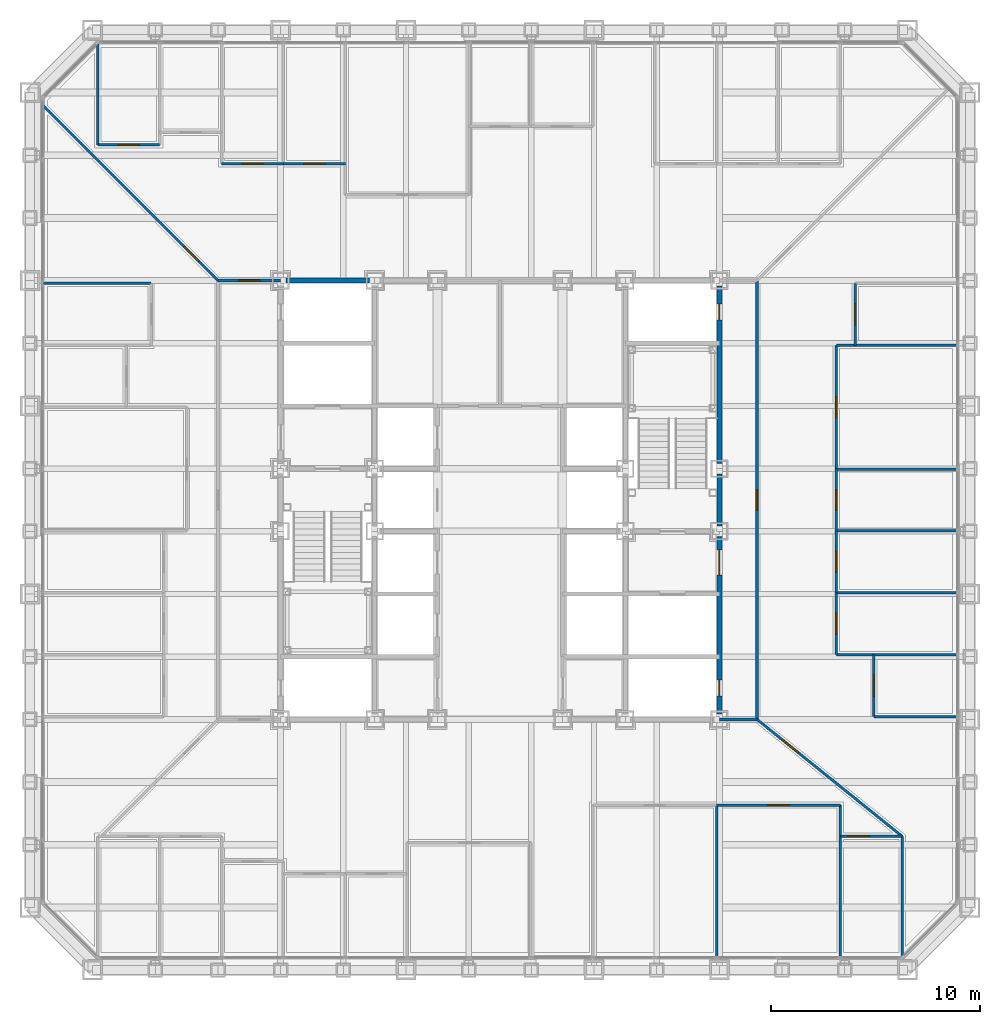
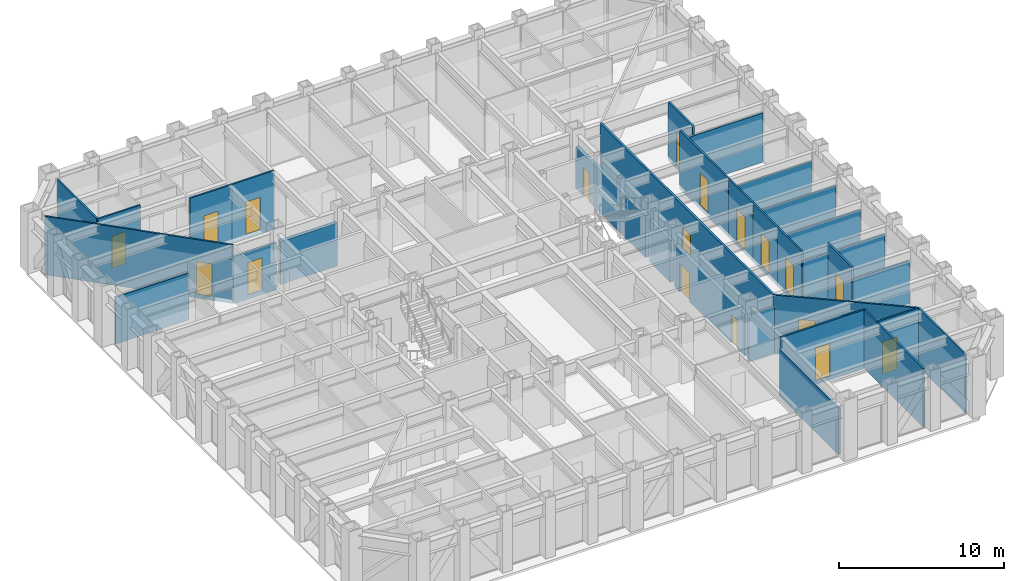
# One storey, part 10 of 17: 31 walls, 18 doors, 18 openings.
"""IFC4 building model written with IfcOpenShell, lengths in metres."""

from ifc_helpers import new_model, si_unit, direction, frame, frame_2d, origin, place, context, subcontext, project, spatial, rectangle, extrude, material, layer, layer_set, type_object, element, fill, save


model = new_model("IFC4")

# Units and contexts
model_context = context("Model", 3, precision=1e-05, world=origin(), true_north=direction((0.0, 1.0)))
body_context = subcontext(model_context, "Body", "Model", "MODEL_VIEW")
ifc_project = project(units=[si_unit("LENGTHUNIT", "METRE"), si_unit("AREAUNIT", "SQUARE_METRE"), si_unit("VOLUMEUNIT", "CUBIC_METRE"), si_unit("PLANEANGLEUNIT", "RADIAN"), si_unit("MASSUNIT", "GRAM", prefix="KILO")], contexts=[model_context])

# Site, building, storey
site_placement = place(None, origin())
site = spatial("IfcSite", under=ifc_project, at=site_placement, CompositionType="ELEMENT")
building_placement = place(site_placement, origin())
building = spatial("IfcBuilding", under=site, at=building_placement, Name="Chuquiago Exchange Tower", CompositionType="ELEMENT")
storey_placement = place(building_placement, frame((0.0, 0.0, 42.300048828125)))
storey = spatial("IfcBuildingStorey", under=building, at=storey_placement, Name="L08", CompositionType="ELEMENT", Elevation=42.300048828125)

# Wall
ifc_material_1 = material(Name="Concrete masonry, fully grouted", Category="masonry")
ifc_layer_1 = layer(ifc_material_1, 0.25)
ifc_layer_set_1 = layer_set([ifc_layer_1], Name="W1 core wall 250")
wall_type_1 = type_object("IfcWallType", Name="W1 core wall 250", PredefinedType="SOLIDWALL", material=ifc_layer_set_1)
wall_1_placement = place(storey_placement, frame((12.25, 33.0, 0.0), z_axis=(0.0, 0.0, 1.0), x_axis=(1.0, 0.0, 0.0)))
element("IfcWall", 1, at=wall_1_placement, inside=storey, type_object=wall_type_1, Name="CW-L08-11-0", PredefinedType="SOLIDWALL", context=body_context, shape_type="SweptSolid", body=[
    extrude(rectangle(XDim=4.0, YDim=0.25, at=frame_2d((2.0, 0.0))), origin(), (0.0, 0.0, 1.0), 3.181396484375),
])

# Wall, openings, doors
wall_2_placement = place(storey_placement, frame((33.0, 12.25, 0.0), z_axis=(0.0, 0.0, 1.0), x_axis=(0.0, 1.0, 0.0)))
wall_2 = element("IfcWall", 2, at=wall_2_placement, inside=storey, type_object=wall_type_1, Name="CW-L08-25-0", PredefinedType="SOLIDWALL", context=body_context, shape_type="SweptSolid", body=[
    extrude(rectangle(XDim=8.5, YDim=0.25, at=frame_2d((4.25, 0.0))), origin(), (0.0, 0.0, 1.0), 3.11279296875),
])
opening_1_placement = place(wall_2_placement, frame((6.64990234375, 0.0, 0.0)))
opening_1 = element("IfcOpeningElement", 3, at=opening_1_placement, cuts=wall_2, Name="Opening L08-004", PredefinedType="OPENING", context=body_context, shape_type="SweptSolid", body=[
    extrude(rectangle(XDim=1.199951171875, YDim=2.10009765625, at=frame_2d((0.60009765625, 1.050048828125))), frame((0.0, 0.135009765625, 0.0), z_axis=(0.0, -1.0, 0.0), x_axis=(1.0, 0.0, 0.0)), (0.0, 0.0, 1.0), 0.27001953125),
])
opening_2_placement = place(wall_2_placement, frame((0.875, 0.0, 0.0)))
opening_2 = element("IfcOpeningElement", 4, at=opening_2_placement, cuts=wall_2, Name="Opening L08-009", PredefinedType="OPENING", context=body_context, shape_type="SweptSolid", body=[
    extrude(rectangle(XDim=0.75, YDim=2.10009765625, at=frame_2d((0.375, 1.050048828125))), frame((0.0, 0.135009765625, 0.0), z_axis=(0.0, -1.0, 0.0), x_axis=(1.0, 0.0, 0.0)), (0.0, 0.0, 1.0), 0.27001953125),
])
ifc_material_2 = material(Name="Steel door, painted", Category="steel")
door_type_1 = type_object("IfcDoorType", Name="D5 firefighting lobby door 1200x2100", OperationType="SINGLE_SWING_LEFT", PredefinedType="DOOR", material=ifc_material_2)
door_1_placement = place(opening_1_placement, origin())
door_1 = element("IfcDoor", 5, at=door_1_placement, inside=storey, type_object=door_type_1, Name="Firefighting lobby 2 door", OperationType="SINGLE_SWING_RIGHT", OverallHeight=2.10009765625, OverallWidth=1.199951171875, PredefinedType="DOOR", context=body_context, shape_type="SweptSolid", body=[
    extrude(rectangle(XDim=1.199951171875, YDim=2.10009765625, at=frame_2d((0.60009765625, 1.050048828125))), frame((0.0, 0.02490234375, 0.0), z_axis=(0.0, -1.0, 0.0), x_axis=(1.0, 0.0, 0.0)), (0.0, 0.0, 1.0), 0.050048828125),
])
fill(opening_1, door_1)
ifc_material_3 = material(Name="Steel door, painted", Category="steel")
door_type_2 = type_object("IfcDoorType", Name="D6 riser access door 750x2100", OperationType="SINGLE_SWING_LEFT", PredefinedType="DOOR", material=ifc_material_3)
door_2_placement = place(opening_2_placement, frame((0.75, 0.0, 0.0), z_axis=(0.0, 0.0, 1.0), x_axis=(-1.0, 0.0, 0.0)))
door_2 = element("IfcDoor", 6, at=door_2_placement, inside=storey, type_object=door_type_2, Name="Riser RE1 door", OperationType="SINGLE_SWING_RIGHT", OverallHeight=2.10009765625, OverallWidth=0.75, PredefinedType="DOOR", context=body_context, shape_type="SweptSolid", body=[
    extrude(rectangle(XDim=0.75, YDim=2.10009765625, at=frame_2d((0.375, 1.050048828125))), frame((0.0, 0.02490234375, 0.0), z_axis=(0.0, -1.0, 0.0), x_axis=(1.0, 0.0, 0.0)), (0.0, 0.0, 1.0), 0.050048828125),
])
fill(opening_2, door_2)

# Wall
wall_3_placement = place(storey_placement, frame((33.0, 21.25, 0.0), z_axis=(0.0, 0.0, 1.0), x_axis=(0.0, 1.0, 0.0)))
element("IfcWall", 7, at=wall_3_placement, inside=storey, type_object=wall_type_1, Name="CW-L08-25-1", PredefinedType="SOLIDWALL", context=body_context, shape_type="SweptSolid", body=[
    extrude(rectangle(XDim=2.5, YDim=0.25, at=frame_2d((1.25, 0.0))), origin(), (0.0, 0.0, 1.0), 3.11279296875),
])

# Wall, opening, door
wall_4_placement = place(storey_placement, frame((33.0, 24.25, 0.0), z_axis=(0.0, 0.0, 1.0), x_axis=(0.0, 1.0, 0.0)))
wall_4 = element("IfcWall", 8, at=wall_4_placement, inside=storey, type_object=wall_type_1, Name="CW-L08-25-2", PredefinedType="SOLIDWALL", context=body_context, shape_type="SweptSolid", body=[
    extrude(rectangle(XDim=8.5, YDim=0.25, at=frame_2d((4.25, 0.0))), origin(), (0.0, 0.0, 1.0), 3.11279296875),
])
opening_3_placement = place(wall_4_placement, frame((6.875, 0.0, 0.0)))
opening_3 = element("IfcOpeningElement", 9, at=opening_3_placement, cuts=wall_4, Name="Opening L08-010", PredefinedType="OPENING", context=body_context, shape_type="SweptSolid", body=[
    extrude(rectangle(XDim=0.75, YDim=2.10009765625, at=frame_2d((0.375, 1.050048828125))), frame((0.0, 0.135009765625, 0.0), z_axis=(0.0, -1.0, 0.0), x_axis=(1.0, 0.0, 0.0)), (0.0, 0.0, 1.0), 0.27001953125),
])
door_3_placement = place(opening_3_placement, frame((0.75, 0.0, 0.0), z_axis=(0.0, 0.0, 1.0), x_axis=(-1.0, 0.0, 0.0)))
door_3 = element("IfcDoor", 10, at=door_3_placement, inside=storey, type_object=door_type_2, Name="Riser RE2 door", OperationType="SINGLE_SWING_LEFT", OverallHeight=2.10009765625, OverallWidth=0.75, PredefinedType="DOOR", context=body_context, shape_type="SweptSolid", body=[
    extrude(rectangle(XDim=0.75, YDim=2.10009765625, at=frame_2d((0.375, 1.050048828125))), frame((0.0, 0.02490234375, 0.0), z_axis=(0.0, -1.0, 0.0), x_axis=(1.0, 0.0, 0.0)), (0.0, 0.0, 1.0), 0.050048828125),
])
fill(opening_3, door_3)

ifc_material_4 = material(Name="Gypsum board on steel studs, acoustic insulation", Category="steel")
ifc_layer_2 = layer(ifc_material_4, 0.14990234375)
ifc_layer_set_2 = layer_set([ifc_layer_2], Name="W11 corridor wall 150")
wall_type_2 = type_object("IfcWallType", Name="W11 corridor wall 150", PredefinedType="PARTITIONING", material=ifc_layer_set_2)
wall_5_placement = place(storey_placement, frame((9.0, 33.0, -0.300048828125), z_axis=(0.0, 0.0, 1.0), x_axis=(1.0, 0.0, 0.0)))
wall_5 = element("IfcWall", 11, at=wall_5_placement, inside=storey, type_object=wall_type_2, Name="PW-L08-GWN0", PredefinedType="PARTITIONING", context=body_context, shape_type="SweptSolid", body=[
    extrude(rectangle(XDim=3.0, YDim=0.14990234375, at=frame_2d((1.5, 0.0))), origin(), (0.0, 0.0, 1.0), 3.4814453125),
])
opening_4_placement = place(wall_5_placement, frame((1.0, 0.0, 0.300048828125)))
opening_4 = element("IfcOpeningElement", 12, at=opening_4_placement, cuts=wall_5, Name="Opening L08-051", PredefinedType="OPENING", context=body_context, shape_type="SweptSolid", body=[
    extrude(rectangle(XDim=1.0, YDim=2.39990234375, at=frame_2d((0.5, 1.199951171875))), frame((0.0, 0.0849609375, 0.0), z_axis=(0.0, -1.0, 0.0), x_axis=(1.0, 0.0, 0.0)), (0.0, 0.0, 1.0), 0.169921875),
])
ifc_material_5 = material(Name="Timber door, laminate faced", Category="wood")
door_type_3 = type_object("IfcDoorType", Name="D9 room door 1000x2400", OperationType="SINGLE_SWING_LEFT", PredefinedType="DOOR", material=ifc_material_5)
door_4_placement = place(opening_4_placement, frame((1.0, 0.0, 0.0), z_axis=(0.0, 0.0, 1.0), x_axis=(-1.0, 0.0, 0.0)))
door_4 = element("IfcDoor", 13, at=door_4_placement, inside=storey, type_object=door_type_3, Name="Team area door", OperationType="SINGLE_SWING_LEFT", OverallHeight=2.39990234375, OverallWidth=1.0, PredefinedType="DOOR", context=body_context, shape_type="SweptSolid", body=[
    extrude(rectangle(XDim=1.0, YDim=2.39990234375, at=frame_2d((0.5, 1.199951171875))), frame((0.0, 0.02490234375, 0.0), z_axis=(0.0, -1.0, 0.0), x_axis=(1.0, 0.0, 0.0)), (0.0, 0.0, 1.0), 0.050048828125),
])
fill(opening_4, door_4)

wall_6_placement = place(storey_placement, frame((34.800048828125, 12.0, -0.300048828125), z_axis=(0.0, 0.0, 1.0), x_axis=(0.0, 1.0, 0.0)))
wall_6 = element("IfcWall", 14, at=wall_6_placement, inside=storey, type_object=wall_type_2, Name="PW-L08-GE0", PredefinedType="PARTITIONING", context=body_context, shape_type="SweptSolid", body=[
    extrude(rectangle(XDim=21.0, YDim=0.14990234375, at=frame_2d((10.5, 0.0))), origin(), (0.0, 0.0, 1.0), 4.340087890625),
])
opening_5_placement = place(wall_6_placement, frame((10.0, 0.0, 0.300048828125)))
opening_5 = element("IfcOpeningElement", 15, at=opening_5_placement, cuts=wall_6, Name="Opening L08-053", PredefinedType="OPENING", context=body_context, shape_type="SweptSolid", body=[
    extrude(rectangle(XDim=1.0, YDim=2.39990234375, at=frame_2d((0.5, 1.199951171875))), frame((0.0, 0.0849609375, 0.0), z_axis=(0.0, -1.0, 0.0), x_axis=(1.0, 0.0, 0.0)), (0.0, 0.0, 1.0), 0.169921875),
])
door_5_placement = place(opening_5_placement, frame((1.0, 0.0, 0.0), z_axis=(0.0, 0.0, 1.0), x_axis=(-1.0, 0.0, 0.0)))
door_5 = element("IfcDoor", 16, at=door_5_placement, inside=storey, type_object=door_type_3, Name="Team area door", OperationType="SINGLE_SWING_RIGHT", OverallHeight=2.39990234375, OverallWidth=1.0, PredefinedType="DOOR", context=body_context, shape_type="SweptSolid", body=[
    extrude(rectangle(XDim=1.0, YDim=2.39990234375, at=frame_2d((0.5, 1.199951171875))), frame((0.0, 0.02490234375, 0.0), z_axis=(0.0, -1.0, 0.0), x_axis=(1.0, 0.0, 0.0)), (0.0, 0.0, 1.0), 0.050048828125),
])
fill(opening_5, door_5)

# Walls
wall_7_placement = place(storey_placement, frame((33.0, 12.0, -0.300048828125), z_axis=(0.0, 0.0, 1.0), x_axis=(1.0, 0.0, 0.0)))
element("IfcWall", 17, at=wall_7_placement, inside=storey, type_object=wall_type_2, Name="PW-L08-GES0", PredefinedType="PARTITIONING", context=body_context, shape_type="SweptSolid", body=[
    extrude(rectangle(XDim=1.800048828125, YDim=0.14990234375, at=frame_2d((0.89990234375, 0.0))), origin(), (0.0, 0.0, 1.0), 3.4814453125),
])
ifc_material_6 = material(Name="Gypsum board on steel studs", Category="steel")
ifc_layer_3 = layer(ifc_material_6, 0.1201171875)
ifc_layer_set_3 = layer_set([ifc_layer_3], Name="W4 partition 120")
wall_type_3 = type_object("IfcWallType", Name="W4 partition 120", PredefinedType="PARTITIONING", material=ifc_layer_set_3)
wall_8_placement = place(storey_placement, frame((32.8662109375, 0.657470703125, -0.300048828125), z_axis=(0.0, 0.0, 1.0), x_axis=(0.0, 1.0, 0.0)))
element("IfcWall", 18, at=wall_8_placement, inside=storey, type_object=wall_type_3, Name="PW-L08-S03287", PredefinedType="PARTITIONING", context=body_context, shape_type="SweptSolid", body=[
    extrude(rectangle(XDim=7.242431640625, YDim=0.1201171875, at=frame_2d((3.62109375, 0.0))), origin(), (0.0, 0.0, 1.0), 3.4814453125),
])
wall_9_placement = place(storey_placement, frame((38.789794921875, 0.657470703125, -0.300048828125), z_axis=(0.0, 0.0, 1.0), x_axis=(0.0, 1.0, 0.0)))
element("IfcWall", 19, at=wall_9_placement, inside=storey, type_object=wall_type_3, Name="PW-L08-S03879", PredefinedType="PARTITIONING", context=body_context, shape_type="SweptSolid", body=[
    extrude(rectangle(XDim=7.242431640625, YDim=0.1201171875, at=frame_2d((3.62109375, 0.0))), origin(), (0.0, 0.0, 1.0), 4.340087890625),
])
wall_10_placement = place(storey_placement, frame((41.75146484375, 0.666015625, -0.300048828125), z_axis=(0.0, 0.0, 1.0), x_axis=(0.0, 1.0, 0.0)))
element("IfcWall", 20, at=wall_10_placement, inside=storey, type_object=wall_type_3, Name="PW-L08-S04175", PredefinedType="PARTITIONING", context=body_context, shape_type="SweptSolid", body=[
    extrude(rectangle(XDim=5.73388671875, YDim=0.1201171875, at=frame_2d((2.866943359375, 0.0))), origin(), (0.0, 0.0, 1.0), 4.340087890625),
])

# Wall, opening, door
wall_11_placement = place(storey_placement, frame((32.8662109375, 7.89990234375, -0.300048828125), z_axis=(0.0, 0.0, 1.0), x_axis=(1.0, 0.0, 0.0)))
wall_11 = element("IfcWall", 21, at=wall_11_placement, inside=storey, type_object=wall_type_3, Name="PW-L08-SF03287", PredefinedType="PARTITIONING", context=body_context, shape_type="SweptSolid", body=[
    extrude(rectangle(XDim=5.923583984375, YDim=0.1201171875, at=frame_2d((2.9619140625, 0.0))), origin(), (0.0, 0.0, 1.0), 4.340087890625),
])
opening_6_placement = place(wall_11_placement, frame((2.4619140625, 0.0, 0.300048828125)))
opening_6 = element("IfcOpeningElement", 22, at=opening_6_placement, cuts=wall_11, Name="Opening L08-026", PredefinedType="OPENING", context=body_context, shape_type="SweptSolid", body=[
    extrude(rectangle(XDim=1.0, YDim=2.39990234375, at=frame_2d((0.5, 1.199951171875))), frame((0.0, 0.070068359375, 0.0), z_axis=(0.0, -1.0, 0.0), x_axis=(1.0, 0.0, 0.0)), (0.0, 0.0, 1.0), 0.14013671875),
])
door_6_placement = place(opening_6_placement, frame((1.0, 0.0, 0.0), z_axis=(0.0, 0.0, 1.0), x_axis=(-1.0, 0.0, 0.0)))
door_6 = element("IfcDoor", 23, at=door_6_placement, inside=storey, type_object=door_type_3, Name="Market data room door", OperationType="SINGLE_SWING_LEFT", OverallHeight=2.39990234375, OverallWidth=1.0, PredefinedType="DOOR", context=body_context, shape_type="SweptSolid", body=[
    extrude(rectangle(XDim=1.0, YDim=2.39990234375, at=frame_2d((0.5, 1.199951171875))), frame((0.0, 0.02490234375, 0.0), z_axis=(0.0, -1.0, 0.0), x_axis=(1.0, 0.0, 0.0)), (0.0, 0.0, 1.0), 0.050048828125),
])
fill(opening_6, door_6)

wall_12_placement = place(storey_placement, frame((38.789794921875, 6.39990234375, -0.300048828125), z_axis=(0.0, 0.0, 1.0), x_axis=(1.0, 0.0, 0.0)))
wall_12 = element("IfcWall", 24, at=wall_12_placement, inside=storey, type_object=wall_type_3, Name="PW-L08-SF03879", PredefinedType="PARTITIONING", context=body_context, shape_type="SweptSolid", body=[
    extrude(rectangle(XDim=2.961669921875, YDim=0.1201171875, at=frame_2d((1.48095703125, 0.0))), origin(), (0.0, 0.0, 1.0), 4.340087890625),
])
opening_7_placement = place(wall_12_placement, frame((0.388427734375, 0.0, 0.300048828125)))
opening_7 = element("IfcOpeningElement", 25, at=opening_7_placement, cuts=wall_12, Name="Opening L08-027", PredefinedType="OPENING", context=body_context, shape_type="SweptSolid", body=[
    extrude(rectangle(XDim=1.0, YDim=2.39990234375, at=frame_2d((0.5, 1.199951171875))), frame((0.0, 0.070068359375, 0.0), z_axis=(0.0, -1.0, 0.0), x_axis=(1.0, 0.0, 0.0)), (0.0, 0.0, 1.0), 0.14013671875),
])
door_7_placement = place(opening_7_placement, frame((1.0, 0.0, 0.0), z_axis=(0.0, 0.0, 1.0), x_axis=(-1.0, 0.0, 0.0)))
door_7 = element("IfcDoor", 26, at=door_7_placement, inside=storey, type_object=door_type_3, Name="Trading support room door", OperationType="SINGLE_SWING_RIGHT", OverallHeight=2.39990234375, OverallWidth=1.0, PredefinedType="DOOR", context=body_context, shape_type="SweptSolid", body=[
    extrude(rectangle(XDim=1.0, YDim=2.39990234375, at=frame_2d((0.5, 1.199951171875))), frame((0.0, 0.02490234375, 0.0), z_axis=(0.0, -1.0, 0.0), x_axis=(1.0, 0.0, 0.0)), (0.0, 0.0, 1.0), 0.050048828125),
])
fill(opening_7, door_7)

# Walls
wall_13_placement = place(storey_placement, frame((44.342529296875, 12.1337890625, -0.300048828125), z_axis=(0.0, 0.0, 1.0), x_axis=(-1.0, 0.0, 0.0)))
element("IfcWall", 27, at=wall_13_placement, inside=storey, type_object=wall_type_3, Name="PW-L08-E01213", PredefinedType="PARTITIONING", context=body_context, shape_type="SweptSolid", body=[
    extrude(rectangle(XDim=3.942626953125, YDim=0.1201171875, at=frame_2d((1.97119140625, 0.0))), origin(), (0.0, 0.0, 1.0), 3.4814453125),
])
for number, where, z_axis, x_axis, name in (
    (28, (44.342529296875, 15.095703125, -0.300048828125), (0.0, 0.0, 1.0), (-1.0, 0.0, 0.0), "PW-L08-E01510"),
    (29, (44.342529296875, 18.057373046875, -0.300048828125), (0.0, 0.0, 1.0), (-1.0, 0.0, 0.0), "PW-L08-E01806"),
    (30, (44.342529296875, 21.01904296875, -0.300048828125), (0.0, 0.0, 1.0), (-1.0, 0.0, 0.0), "PW-L08-E02102"),
    (31, (44.342529296875, 23.98095703125, -0.300048828125), (0.0, 0.0, 1.0), (-1.0, 0.0, 0.0), "PW-L08-E02398"),
    (32, (44.342529296875, 29.904296875, -0.300048828125), (0.0, 0.0, 1.0), (-1.0, 0.0, 0.0), "PW-L08-E02990"),
):
    element("IfcWall", number, at=place(storey_placement, frame(where, z_axis=z_axis, x_axis=x_axis)), inside=storey, type_object=wall_type_3, Name=name, PredefinedType="PARTITIONING", context=body_context, shape_type="SweptSolid", body=[
        extrude(rectangle(XDim=5.742431640625, YDim=0.1201171875, at=frame_2d((2.87109375, 0.0))), origin(), (0.0, 0.0, 1.0), 3.646484375),
    ])

# Wall, opening, door
wall_14_placement = place(storey_placement, frame((40.39990234375, 12.1337890625, -0.300048828125), z_axis=(0.0, 0.0, 1.0), x_axis=(0.0, 1.0, 0.0)))
wall_14 = element("IfcWall", 33, at=wall_14_placement, inside=storey, type_object=wall_type_3, Name="PW-L08-EF01213", PredefinedType="PARTITIONING", context=body_context, shape_type="SweptSolid", body=[
    extrude(rectangle(XDim=2.9619140625, YDim=0.1201171875, at=frame_2d((1.48095703125, 0.0))), origin(), (0.0, 0.0, 1.0), 4.340087890625),
])
opening_8_placement = place(wall_14_placement, frame((0.98095703125, 0.0, 0.300048828125)))
opening_8 = element("IfcOpeningElement", 34, at=opening_8_placement, cuts=wall_14, Name="Opening L08-028", PredefinedType="OPENING", context=body_context, shape_type="SweptSolid", body=[
    extrude(rectangle(XDim=1.0, YDim=2.39990234375, at=frame_2d((0.5, 1.199951171875))), frame((0.0, 0.070068359375, 0.0), z_axis=(0.0, -1.0, 0.0), x_axis=(1.0, 0.0, 0.0)), (0.0, 0.0, 1.0), 0.14013671875),
])
ifc_material_7 = material(Name="Timber frame door, full height glazed panel", Category="wood")
door_type_4 = type_object("IfcDoorType", Name="D14 glazed meeting room door 1000x2400", OperationType="SINGLE_SWING_LEFT", PredefinedType="DOOR", material=ifc_material_7)
door_8_placement = place(opening_8_placement, frame((1.0, 0.0, 0.0), z_axis=(0.0, 0.0, 1.0), x_axis=(-1.0, 0.0, 0.0)))
door_8 = element("IfcDoor", 35, at=door_8_placement, inside=storey, type_object=door_type_4, Name="Focus room door", OperationType="SINGLE_SWING_LEFT", OverallHeight=2.39990234375, OverallWidth=1.0, PredefinedType="DOOR", context=body_context, shape_type="SweptSolid", body=[
    extrude(rectangle(XDim=1.0, YDim=2.39990234375, at=frame_2d((0.5, 1.199951171875))), frame((0.0, 0.02490234375, 0.0), z_axis=(0.0, -1.0, 0.0), x_axis=(1.0, 0.0, 0.0)), (0.0, 0.0, 1.0), 0.050048828125),
])
fill(opening_8, door_8)

wall_15_placement = place(storey_placement, frame((38.60009765625, 15.095703125, -0.300048828125), z_axis=(0.0, 0.0, 1.0), x_axis=(0.0, 1.0, 0.0)))
wall_15 = element("IfcWall", 36, at=wall_15_placement, inside=storey, type_object=wall_type_3, Name="PW-L08-EF01510", PredefinedType="PARTITIONING", context=body_context, shape_type="SweptSolid", body=[
    extrude(rectangle(XDim=2.961669921875, YDim=0.1201171875, at=frame_2d((1.48095703125, 0.0))), origin(), (0.0, 0.0, 1.0), 4.340087890625),
])
opening_9_placement = place(wall_15_placement, frame((0.98095703125, 0.0, 0.300048828125)))
opening_9 = element("IfcOpeningElement", 37, at=opening_9_placement, cuts=wall_15, Name="Opening L08-029", PredefinedType="OPENING", context=body_context, shape_type="SweptSolid", body=[
    extrude(rectangle(XDim=1.0, YDim=2.39990234375, at=frame_2d((0.5, 1.199951171875))), frame((0.0, 0.070068359375, 0.0), z_axis=(0.0, -1.0, 0.0), x_axis=(1.0, 0.0, 0.0)), (0.0, 0.0, 1.0), 0.14013671875),
])
door_9_placement = place(opening_9_placement, frame((1.0, 0.0, 0.0), z_axis=(0.0, 0.0, 1.0), x_axis=(-1.0, 0.0, 0.0)))
door_9 = element("IfcDoor", 38, at=door_9_placement, inside=storey, type_object=door_type_3, Name="Trading support room door", OperationType="SINGLE_SWING_RIGHT", OverallHeight=2.39990234375, OverallWidth=1.0, PredefinedType="DOOR", context=body_context, shape_type="SweptSolid", body=[
    extrude(rectangle(XDim=1.0, YDim=2.39990234375, at=frame_2d((0.5, 1.199951171875))), frame((0.0, 0.02490234375, 0.0), z_axis=(0.0, -1.0, 0.0), x_axis=(1.0, 0.0, 0.0)), (0.0, 0.0, 1.0), 0.050048828125),
])
fill(opening_9, door_9)

wall_16_placement = place(storey_placement, frame((38.60009765625, 18.057373046875, -0.300048828125), z_axis=(0.0, 0.0, 1.0), x_axis=(0.0, 1.0, 0.0)))
wall_16 = element("IfcWall", 39, at=wall_16_placement, inside=storey, type_object=wall_type_3, Name="PW-L08-EF01806", PredefinedType="PARTITIONING", context=body_context, shape_type="SweptSolid", body=[
    extrude(rectangle(XDim=2.961669921875, YDim=0.1201171875, at=frame_2d((1.48095703125, 0.0))), origin(), (0.0, 0.0, 1.0), 4.340087890625),
])
opening_10_placement = place(wall_16_placement, frame((0.98095703125, 0.0, 0.300048828125)))
opening_10 = element("IfcOpeningElement", 40, at=opening_10_placement, cuts=wall_16, Name="Opening L08-030", PredefinedType="OPENING", context=body_context, shape_type="SweptSolid", body=[
    extrude(rectangle(XDim=1.0, YDim=2.39990234375, at=frame_2d((0.5, 1.199951171875))), frame((0.0, 0.070068359375, 0.0), z_axis=(0.0, -1.0, 0.0), x_axis=(1.0, 0.0, 0.0)), (0.0, 0.0, 1.0), 0.14013671875),
])
door_10_placement = place(opening_10_placement, frame((1.0, 0.0, 0.0), z_axis=(0.0, 0.0, 1.0), x_axis=(-1.0, 0.0, 0.0)))
door_10 = element("IfcDoor", 41, at=door_10_placement, inside=storey, type_object=door_type_3, Name="Trading support room door", OperationType="SINGLE_SWING_LEFT", OverallHeight=2.39990234375, OverallWidth=1.0, PredefinedType="DOOR", context=body_context, shape_type="SweptSolid", body=[
    extrude(rectangle(XDim=1.0, YDim=2.39990234375, at=frame_2d((0.5, 1.199951171875))), frame((0.0, 0.02490234375, 0.0), z_axis=(0.0, -1.0, 0.0), x_axis=(1.0, 0.0, 0.0)), (0.0, 0.0, 1.0), 0.050048828125),
])
fill(opening_10, door_10)

wall_17_placement = place(storey_placement, frame((38.60009765625, 21.01904296875, -0.300048828125), z_axis=(0.0, 0.0, 1.0), x_axis=(0.0, 1.0, 0.0)))
wall_17 = element("IfcWall", 42, at=wall_17_placement, inside=storey, type_object=wall_type_3, Name="PW-L08-EF02102", PredefinedType="PARTITIONING", context=body_context, shape_type="SweptSolid", body=[
    extrude(rectangle(XDim=2.9619140625, YDim=0.1201171875, at=frame_2d((1.48095703125, 0.0))), origin(), (0.0, 0.0, 1.0), 4.340087890625),
])
opening_11_placement = place(wall_17_placement, frame((0.98095703125, 0.0, 0.300048828125)))
opening_11 = element("IfcOpeningElement", 43, at=opening_11_placement, cuts=wall_17, Name="Opening L08-031", PredefinedType="OPENING", context=body_context, shape_type="SweptSolid", body=[
    extrude(rectangle(XDim=1.0, YDim=2.39990234375, at=frame_2d((0.5, 1.199951171875))), frame((0.0, 0.070068359375, 0.0), z_axis=(0.0, -1.0, 0.0), x_axis=(1.0, 0.0, 0.0)), (0.0, 0.0, 1.0), 0.14013671875),
])
door_11_placement = place(opening_11_placement, frame((1.0, 0.0, 0.0), z_axis=(0.0, 0.0, 1.0), x_axis=(-1.0, 0.0, 0.0)))
door_11 = element("IfcDoor", 44, at=door_11_placement, inside=storey, type_object=door_type_3, Name="Trading support room door", OperationType="SINGLE_SWING_LEFT", OverallHeight=2.39990234375, OverallWidth=1.0, PredefinedType="DOOR", context=body_context, shape_type="SweptSolid", body=[
    extrude(rectangle(XDim=1.0, YDim=2.39990234375, at=frame_2d((0.5, 1.199951171875))), frame((0.0, 0.02490234375, 0.0), z_axis=(0.0, -1.0, 0.0), x_axis=(1.0, 0.0, 0.0)), (0.0, 0.0, 1.0), 0.050048828125),
])
fill(opening_11, door_11)

wall_18_placement = place(storey_placement, frame((38.60009765625, 23.98095703125, -0.300048828125), z_axis=(0.0, 0.0, 1.0), x_axis=(0.0, 1.0, 0.0)))
wall_18 = element("IfcWall", 45, at=wall_18_placement, inside=storey, type_object=wall_type_3, Name="PW-L08-EF02398", PredefinedType="PARTITIONING", context=body_context, shape_type="SweptSolid", body=[
    extrude(rectangle(XDim=5.92333984375, YDim=0.1201171875, at=frame_2d((2.961669921875, 0.0))), origin(), (0.0, 0.0, 1.0), 4.340087890625),
])
opening_12_placement = place(wall_18_placement, frame((2.4619140625, 0.0, 0.300048828125)))
opening_12 = element("IfcOpeningElement", 46, at=opening_12_placement, cuts=wall_18, Name="Opening L08-032", PredefinedType="OPENING", context=body_context, shape_type="SweptSolid", body=[
    extrude(rectangle(XDim=1.0, YDim=2.39990234375, at=frame_2d((0.5, 1.199951171875))), frame((0.0, 0.070068359375, 0.0), z_axis=(0.0, -1.0, 0.0), x_axis=(1.0, 0.0, 0.0)), (0.0, 0.0, 1.0), 0.14013671875),
])
door_12_placement = place(opening_12_placement, frame((1.0, 0.0, 0.0), z_axis=(0.0, 0.0, 1.0), x_axis=(-1.0, 0.0, 0.0)))
door_12 = element("IfcDoor", 47, at=door_12_placement, inside=storey, type_object=door_type_4, Name="Meeting room door", OperationType="SINGLE_SWING_LEFT", OverallHeight=2.39990234375, OverallWidth=1.0, PredefinedType="DOOR", context=body_context, shape_type="SweptSolid", body=[
    extrude(rectangle(XDim=1.0, YDim=2.39990234375, at=frame_2d((0.5, 1.199951171875))), frame((0.0, 0.02490234375, 0.0), z_axis=(0.0, -1.0, 0.0), x_axis=(1.0, 0.0, 0.0)), (0.0, 0.0, 1.0), 0.050048828125),
])
fill(opening_12, door_12)

wall_19_placement = place(storey_placement, frame((39.5, 29.904296875, -0.300048828125), z_axis=(0.0, 0.0, 1.0), x_axis=(0.0, 1.0, 0.0)))
wall_19 = element("IfcWall", 48, at=wall_19_placement, inside=storey, type_object=wall_type_3, Name="PW-L08-EF02990", PredefinedType="PARTITIONING", context=body_context, shape_type="SweptSolid", body=[
    extrude(rectangle(XDim=2.9619140625, YDim=0.1201171875, at=frame_2d((1.48095703125, 0.0))), origin(), (0.0, 0.0, 1.0), 4.340087890625),
])
opening_13_placement = place(wall_19_placement, frame((0.98095703125, 0.0, 0.300048828125)))
opening_13 = element("IfcOpeningElement", 49, at=opening_13_placement, cuts=wall_19, Name="Opening L08-033", PredefinedType="OPENING", context=body_context, shape_type="SweptSolid", body=[
    extrude(rectangle(XDim=1.0, YDim=2.39990234375, at=frame_2d((0.5, 1.199951171875))), frame((0.0, 0.070068359375, 0.0), z_axis=(0.0, -1.0, 0.0), x_axis=(1.0, 0.0, 0.0)), (0.0, 0.0, 1.0), 0.14013671875),
])
door_13_placement = place(opening_13_placement, frame((1.0, 0.0, 0.0), z_axis=(0.0, 0.0, 1.0), x_axis=(-1.0, 0.0, 0.0)))
door_13 = element("IfcDoor", 50, at=door_13_placement, inside=storey, type_object=door_type_3, Name="Comms room door", OperationType="SINGLE_SWING_RIGHT", OverallHeight=2.39990234375, OverallWidth=1.0, PredefinedType="DOOR", context=body_context, shape_type="SweptSolid", body=[
    extrude(rectangle(XDim=1.0, YDim=2.39990234375, at=frame_2d((0.5, 1.199951171875))), frame((0.0, 0.02490234375, 0.0), z_axis=(0.0, -1.0, 0.0), x_axis=(1.0, 0.0, 0.0)), (0.0, 0.0, 1.0), 0.050048828125),
])
fill(opening_13, door_13)

# Wall
wall_20_placement = place(storey_placement, frame((3.24853515625, 44.333984375, -0.300048828125), z_axis=(0.0, 0.0, 1.0), x_axis=(0.0, -1.0, 0.0)))
element("IfcWall", 51, at=wall_20_placement, inside=storey, type_object=wall_type_3, Name="PW-L08-N00325", PredefinedType="PARTITIONING", context=body_context, shape_type="SweptSolid", body=[
    extrude(rectangle(XDim=4.833984375, YDim=0.1201171875, at=frame_2d((2.4169921875, 0.0))), origin(), (0.0, 0.0, 1.0), 4.340087890625),
])

# Wall, opening, door
wall_21_placement = place(storey_placement, frame((3.24853515625, 39.5, -0.300048828125), z_axis=(0.0, 0.0, 1.0), x_axis=(1.0, 0.0, 0.0)))
wall_21 = element("IfcWall", 52, at=wall_21_placement, inside=storey, type_object=wall_type_3, Name="PW-L08-NF00325", PredefinedType="PARTITIONING", context=body_context, shape_type="SweptSolid", body=[
    extrude(rectangle(XDim=2.961669921875, YDim=0.1201171875, at=frame_2d((1.48095703125, 0.0))), origin(), (0.0, 0.0, 1.0), 4.340087890625),
])
opening_14_placement = place(wall_21_placement, frame((0.98095703125, 0.0, 0.300048828125)))
opening_14 = element("IfcOpeningElement", 53, at=opening_14_placement, cuts=wall_21, Name="Opening L08-034", PredefinedType="OPENING", context=body_context, shape_type="SweptSolid", body=[
    extrude(rectangle(XDim=1.0, YDim=2.39990234375, at=frame_2d((0.5, 1.199951171875))), frame((0.0, 0.070068359375, 0.0), z_axis=(0.0, -1.0, 0.0), x_axis=(1.0, 0.0, 0.0)), (0.0, 0.0, 1.0), 0.14013671875),
])
door_14_placement = place(opening_14_placement, origin())
door_14 = element("IfcDoor", 54, at=door_14_placement, inside=storey, type_object=door_type_3, Name="Comms room door", OperationType="SINGLE_SWING_LEFT", OverallHeight=2.39990234375, OverallWidth=1.0, PredefinedType="DOOR", context=body_context, shape_type="SweptSolid", body=[
    extrude(rectangle(XDim=1.0, YDim=2.39990234375, at=frame_2d((0.5, 1.199951171875))), frame((0.0, 0.02490234375, 0.0), z_axis=(0.0, -1.0, 0.0), x_axis=(1.0, 0.0, 0.0)), (0.0, 0.0, 1.0), 0.050048828125),
])
fill(opening_14, door_14)

wall_22_placement = place(storey_placement, frame((9.172119140625, 38.60009765625, -0.300048828125), z_axis=(0.0, 0.0, 1.0), x_axis=(1.0, 0.0, 0.0)))
wall_22 = element("IfcWall", 55, at=wall_22_placement, inside=storey, type_object=wall_type_3, Name="PW-L08-NF00917", PredefinedType="PARTITIONING", context=body_context, shape_type="SweptSolid", body=[
    extrude(rectangle(XDim=2.961669921875, YDim=0.1201171875, at=frame_2d((1.48095703125, 0.0))), origin(), (0.0, 0.0, 1.0), 4.340087890625),
])
opening_15_placement = place(wall_22_placement, frame((0.98095703125, 0.0, 0.300048828125)))
opening_15 = element("IfcOpeningElement", 56, at=opening_15_placement, cuts=wall_22, Name="Opening L08-036", PredefinedType="OPENING", context=body_context, shape_type="SweptSolid", body=[
    extrude(rectangle(XDim=1.0, YDim=2.39990234375, at=frame_2d((0.5, 1.199951171875))), frame((0.0, 0.070068359375, 0.0), z_axis=(0.0, -1.0, 0.0), x_axis=(1.0, 0.0, 0.0)), (0.0, 0.0, 1.0), 0.14013671875),
])
door_15_placement = place(opening_15_placement, origin())
door_15 = element("IfcDoor", 57, at=door_15_placement, inside=storey, type_object=door_type_3, Name="Office door", OperationType="SINGLE_SWING_RIGHT", OverallHeight=2.39990234375, OverallWidth=1.0, PredefinedType="DOOR", context=body_context, shape_type="SweptSolid", body=[
    extrude(rectangle(XDim=1.0, YDim=2.39990234375, at=frame_2d((0.5, 1.199951171875))), frame((0.0, 0.02490234375, 0.0), z_axis=(0.0, -1.0, 0.0), x_axis=(1.0, 0.0, 0.0)), (0.0, 0.0, 1.0), 0.050048828125),
])
fill(opening_15, door_15)

wall_23_placement = place(storey_placement, frame((12.1337890625, 38.60009765625, -0.300048828125), z_axis=(0.0, 0.0, 1.0), x_axis=(1.0, 0.0, 0.0)))
wall_23 = element("IfcWall", 58, at=wall_23_placement, inside=storey, type_object=wall_type_3, Name="PW-L08-NF01213", PredefinedType="PARTITIONING", context=body_context, shape_type="SweptSolid", body=[
    extrude(rectangle(XDim=2.9619140625, YDim=0.1201171875, at=frame_2d((1.48095703125, 0.0))), origin(), (0.0, 0.0, 1.0), 4.340087890625),
])
opening_16_placement = place(wall_23_placement, frame((0.98095703125, 0.0, 0.300048828125)))
opening_16 = element("IfcOpeningElement", 59, at=opening_16_placement, cuts=wall_23, Name="Opening L08-037", PredefinedType="OPENING", context=body_context, shape_type="SweptSolid", body=[
    extrude(rectangle(XDim=1.0, YDim=2.39990234375, at=frame_2d((0.5, 1.199951171875))), frame((0.0, 0.070068359375, 0.0), z_axis=(0.0, -1.0, 0.0), x_axis=(1.0, 0.0, 0.0)), (0.0, 0.0, 1.0), 0.14013671875),
])
door_16_placement = place(opening_16_placement, origin())
door_16 = element("IfcDoor", 60, at=door_16_placement, inside=storey, type_object=door_type_3, Name="Office door", OperationType="SINGLE_SWING_RIGHT", OverallHeight=2.39990234375, OverallWidth=1.0, PredefinedType="DOOR", context=body_context, shape_type="SweptSolid", body=[
    extrude(rectangle(XDim=1.0, YDim=2.39990234375, at=frame_2d((0.5, 1.199951171875))), frame((0.0, 0.02490234375, 0.0), z_axis=(0.0, -1.0, 0.0), x_axis=(1.0, 0.0, 0.0)), (0.0, 0.0, 1.0), 0.050048828125),
])
fill(opening_16, door_16)

# Wall
wall_24_placement = place(storey_placement, frame((0.657470703125, 32.8662109375, -0.300048828125), z_axis=(0.0, 0.0, 1.0), x_axis=(1.0, 0.0, 0.0)))
element("IfcWall", 61, at=wall_24_placement, inside=storey, type_object=wall_type_3, Name="PW-L08-W03287", PredefinedType="PARTITIONING", context=body_context, shape_type="SweptSolid", body=[
    extrude(rectangle(XDim=5.142578125, YDim=0.1201171875, at=frame_2d((2.5712890625, 0.0))), origin(), (0.0, 0.0, 1.0), 3.4814453125),
])

# Wall, opening, door
wall_25_placement = place(storey_placement, frame((9.0, 33.0, -0.300048828125), z_axis=(0.0, 0.0, 1.0), x_axis=(-0.707106781187, 0.707106781187, 0.0)))
wall_25 = element("IfcWall", 62, at=wall_25_placement, inside=storey, type_object=wall_type_3, Name="PW-L08-QNW", PredefinedType="PARTITIONING", context=body_context, shape_type="SweptSolid", body=[
    extrude(rectangle(XDim=11.84228515625, YDim=0.1201171875, at=frame_2d((5.921142578125, 0.0))), origin(), (0.0, 0.0, 1.0), 4.340087890625),
])
opening_17_placement = place(wall_25_placement, frame((1.300048828125, 0.0, 0.300048828125)))
opening_17 = element("IfcOpeningElement", 63, at=opening_17_placement, cuts=wall_25, Name="Opening L08-055", PredefinedType="OPENING", context=body_context, shape_type="SweptSolid", body=[
    extrude(rectangle(XDim=1.0, YDim=2.39990234375, at=frame_2d((0.5, 1.199951171875))), frame((0.0, 0.070068359375, 0.0), z_axis=(0.0, -1.0, 0.0), x_axis=(1.0, 0.0, 0.0)), (0.0, 0.0, 1.0), 0.14013671875),
])
door_17_placement = place(opening_17_placement, origin())
door_17 = element("IfcDoor", 64, at=door_17_placement, inside=storey, type_object=door_type_3, Name="Team area door", OperationType="SINGLE_SWING_LEFT", OverallHeight=2.39990234375, OverallWidth=1.0, PredefinedType="DOOR", context=body_context, shape_type="SweptSolid", body=[
    extrude(rectangle(XDim=1.0, YDim=2.39990234375, at=frame_2d((0.5, 1.199951171875))), frame((0.0, 0.02490234375, 0.0), z_axis=(0.0, -1.0, 0.0), x_axis=(1.0, 0.0, 0.0)), (0.0, 0.0, 1.0), 0.050048828125),
])
fill(opening_17, door_17)

wall_26_placement = place(storey_placement, frame((34.800048828125, 12.0, -0.300048828125), z_axis=(0.0, 0.0, 1.0), x_axis=(0.778734980058, -0.627353035247, 0.0)))
wall_26 = element("IfcWall", 65, at=wall_26_placement, inside=storey, type_object=wall_type_3, Name="PW-L08-QSE", PredefinedType="PARTITIONING", context=body_context, shape_type="SweptSolid", body=[
    extrude(rectangle(XDim=8.926513671875, YDim=0.1201171875, at=frame_2d((4.46337890625, 0.0))), origin(), (0.0, 0.0, 1.0), 4.340087890625),
])
opening_18_placement = place(wall_26_placement, frame((1.528564453125, 0.0, 0.300048828125)))
opening_18 = element("IfcOpeningElement", 66, at=opening_18_placement, cuts=wall_26, Name="Opening L08-057", PredefinedType="OPENING", context=body_context, shape_type="SweptSolid", body=[
    extrude(rectangle(XDim=1.0, YDim=2.39990234375, at=frame_2d((0.5, 1.199951171875))), frame((0.0, 0.070068359375, 0.0), z_axis=(0.0, -1.0, 0.0), x_axis=(1.0, 0.0, 0.0)), (0.0, 0.0, 1.0), 0.14013671875),
])
door_18_placement = place(opening_18_placement, origin())
door_18 = element("IfcDoor", 67, at=door_18_placement, inside=storey, type_object=door_type_3, Name="Team area door", OperationType="SINGLE_SWING_LEFT", OverallHeight=2.39990234375, OverallWidth=1.0, PredefinedType="DOOR", context=body_context, shape_type="SweptSolid", body=[
    extrude(rectangle(XDim=1.0, YDim=2.39990234375, at=frame_2d((0.5, 1.199951171875))), frame((0.0, 0.02490234375, 0.0), z_axis=(0.0, -1.0, 0.0), x_axis=(1.0, 0.0, 0.0)), (0.0, 0.0, 1.0), 0.050048828125),
])
fill(opening_18, door_18)

save(model, "model.ifc")
